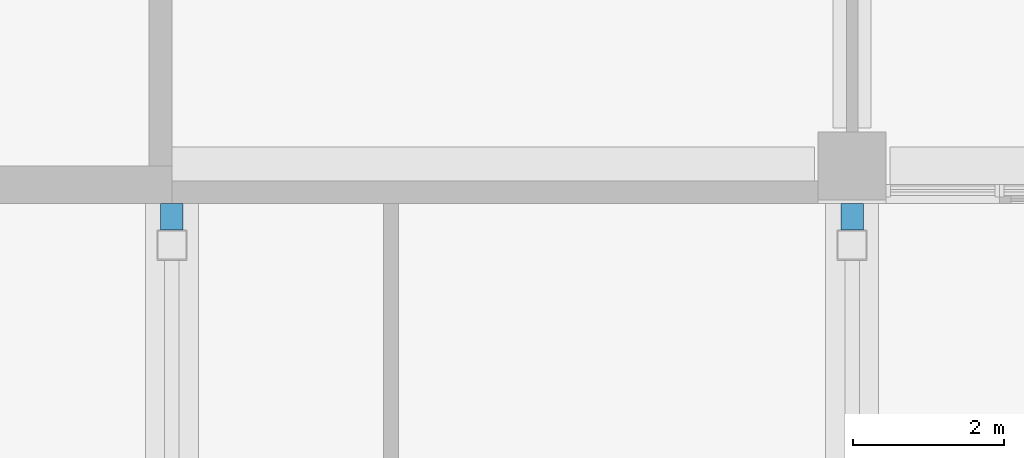
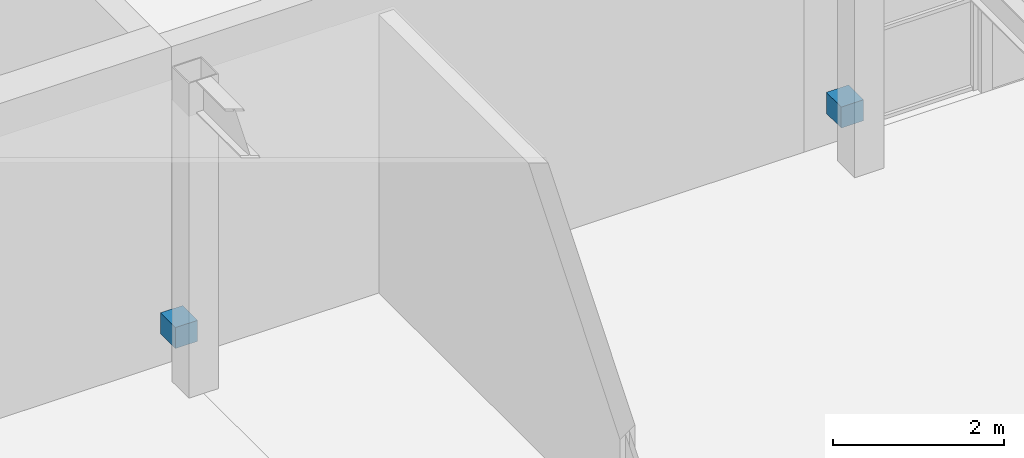
# One storey, part 123 of 168: 2 discrete accessories.
"""IFC4 building model written with IfcOpenShell, lengths in metres."""

from ifc_helpers import new_model, si_unit, direction, frame, origin, origin_2d, place, context, subcontext, project, spatial, rectangle, extrude, material, type_object, element, save


model = new_model("IFC4")

# Units and contexts
model_context = context("Model", 3, precision=1e-05, world=origin(), true_north=direction((0.0, 1.0)))
body_context = subcontext(model_context, "Body", "Model", "MODEL_VIEW")
ifc_project = project(units=[si_unit("LENGTHUNIT", "METRE"), si_unit("AREAUNIT", "SQUARE_METRE"), si_unit("VOLUMEUNIT", "CUBIC_METRE"), si_unit("PLANEANGLEUNIT", "RADIAN"), si_unit("MASSUNIT", "GRAM", prefix="KILO")], contexts=[model_context])

# Site, building, storey
site_placement = place(None, origin())
site = spatial("IfcSite", under=ifc_project, at=site_placement, CompositionType="ELEMENT")
building_placement = place(site_placement, origin())
building = spatial("IfcBuilding", under=site, at=building_placement, Name="Silverbay Arena", CompositionType="ELEMENT")
storey_placement = place(building_placement, frame((0.0, 0.0, 7.0)))
storey = spatial("IfcBuildingStorey", under=building, at=storey_placement, Name="L01", CompositionType="ELEMENT", Elevation=7.0)

# Discrete accessories
ifc_material = material(Name="Steel S355", Category="steel")
discrete_accessory_type = type_object("IfcDiscreteAccessoryType", Name="Steel bracket plate", PredefinedType="BRACKET", material=ifc_material)
for number, where, z_axis, x_axis, name in (
    (1, (117.0, 17.324951171875, 0.4501953125), (0.0, 0.0, 1.0), (1.0, 0.0, 0.0), "Hall column bracket plate"),
    (2, (126.0, 17.324951171875, 0.4501953125), (0.0, 0.0, 1.0), (1.0, 0.0, 0.0), "Hall column bracket plate"),
):
    element("IfcDiscreteAccessory", number, at=place(storey_placement, frame(where, z_axis=z_axis, x_axis=x_axis)), inside=storey, type_object=discrete_accessory_type, Name=name, PredefinedType="BRACKET", context=body_context, shape_type="SweptSolid", body=[
        extrude(rectangle(XDim=0.300048828125, YDim=0.35009765625, at=origin_2d()), origin(), (0.0, 0.0, 1.0), 0.300048828125),
    ])

save(model, "model.ifc")
